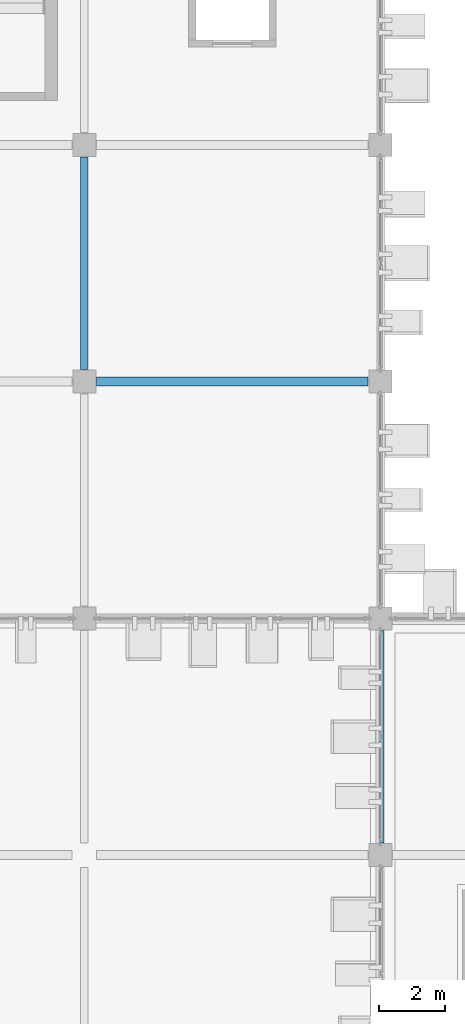
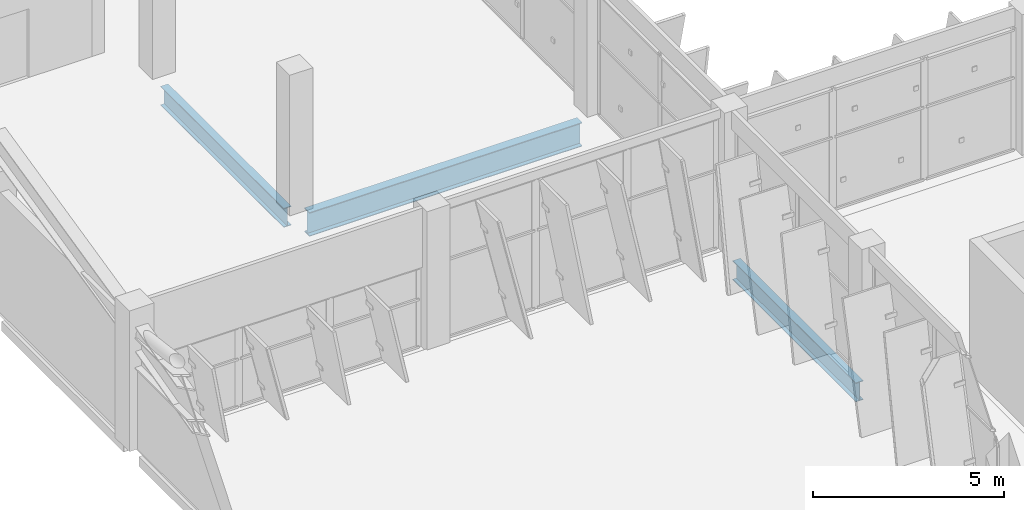
# One storey, part 44 of 151: 3 beams.
"""IFC4 building model written with IfcOpenShell, lengths in metres."""

from ifc_helpers import new_model, si_unit, direction, frame, origin, origin_2d, place, context, subcontext, project, spatial, i_section, extrude, material, material_profile, profile_set, type_object, element, save


model = new_model("IFC4")

# Units and contexts
model_context = context("Model", 3, precision=1e-05, world=origin(), true_north=direction((0.0, 1.0)))
body_context = subcontext(model_context, "Body", "Model", "MODEL_VIEW")
ifc_project = project(units=[si_unit("LENGTHUNIT", "METRE"), si_unit("AREAUNIT", "SQUARE_METRE"), si_unit("VOLUMEUNIT", "CUBIC_METRE"), si_unit("PLANEANGLEUNIT", "RADIAN"), si_unit("MASSUNIT", "GRAM", prefix="KILO")], contexts=[model_context])

# Site, building, storey
site_placement = place(None, origin())
site = spatial("IfcSite", under=ifc_project, at=site_placement, CompositionType="ELEMENT")
building_placement = place(site_placement, origin())
building = spatial("IfcBuilding", under=site, at=building_placement, Name="Celestram Park Convention Centre", CompositionType="ELEMENT")
storey_placement = place(building_placement, frame((0.0, 0.0, 10.800048828125)))
storey = spatial("IfcBuildingStorey", under=building, at=storey_placement, Name="L02", CompositionType="ELEMENT", Elevation=10.800048828125)

# Beams
ifc_material = material(Name="Steel ASTM A992 Grade 50", Category="steel")
ifc_material_profile_1 = material_profile(ifc_material, i_section(OverallWidth=0.22900390625, OverallDepth=0.612060546875, WebThickness=0.011962890625, FlangeThickness=0.01953125, at=origin_2d()), Name="W24X84")
ifc_profile_set_1 = profile_set([ifc_material_profile_1], Name="Steel ASTM A992 Grade 50")
beam_type_1 = type_object("IfcBeamType", Name="STR-BM-W24X84", PredefinedType="BEAM", material=ifc_profile_set_1)
beam_1_placement = place(storey_placement, frame((135.0, 43.572998046875, -0.5859375), z_axis=(0.0, 1.0, 0.0), x_axis=(-1.0, 0.0, 0.0)))
element("IfcBeam", 1, at=beam_1_placement, inside=storey, type_object=beam_type_1, Name="Primary Y-girder BG-L02-0201", PredefinedType="BEAM", context=body_context, shape_type="SweptSolid", body=[
    extrude(i_section(OverallWidth=0.22900390625, OverallDepth=0.612060546875, WebThickness=0.011962890625, FlangeThickness=0.01953125, at=origin_2d()), origin(), (0.0, 0.0, 1.0), 6.4541015625),
])
beam_2_placement = place(storey_placement, frame((144.0, 29.173095703125, -0.5859375), z_axis=(0.0, 1.0, 0.0), x_axis=(-1.0, 0.0, 0.0)))
element("IfcBeam", 2, at=beam_2_placement, inside=storey, type_object=beam_type_1, Name="Primary Y-girder BG-L02-0241", PredefinedType="BEAM", context=body_context, shape_type="SweptSolid", body=[
    extrude(i_section(OverallWidth=0.22900390625, OverallDepth=0.612060546875, WebThickness=0.011962890625, FlangeThickness=0.01953125, at=origin_2d()), origin(), (0.0, 0.0, 1.0), 6.453857421875),
])
ifc_material_profile_2 = material_profile(ifc_material, i_section(OverallWidth=0.26708984375, OverallDepth=0.761962890625, WebThickness=0.014404296875, FlangeThickness=0.021484375, at=origin_2d()), Name="W30X116")
ifc_profile_set_2 = profile_set([ifc_material_profile_2], Name="Steel ASTM A992 Grade 50")
beam_type_2 = type_object("IfcBeamType", Name="STR-BM-W30X116", PredefinedType="BEAM", material=ifc_profile_set_2)
beam_3_placement = place(storey_placement, frame((135.373046875, 43.199951171875, -0.6611328125), z_axis=(1.0, 0.0, 0.0), x_axis=(0.0, 1.0, 0.0)))
element("IfcBeam", 3, at=beam_3_placement, inside=storey, type_object=beam_type_2, Name="Primary X-girder BG-L02-0200", PredefinedType="BEAM", context=body_context, shape_type="SweptSolid", body=[
    extrude(i_section(OverallWidth=0.26708984375, OverallDepth=0.761962890625, WebThickness=0.014404296875, FlangeThickness=0.021484375, at=origin_2d()), origin(), (0.0, 0.0, 1.0), 8.25390625),
])

save(model, "model.ifc")
